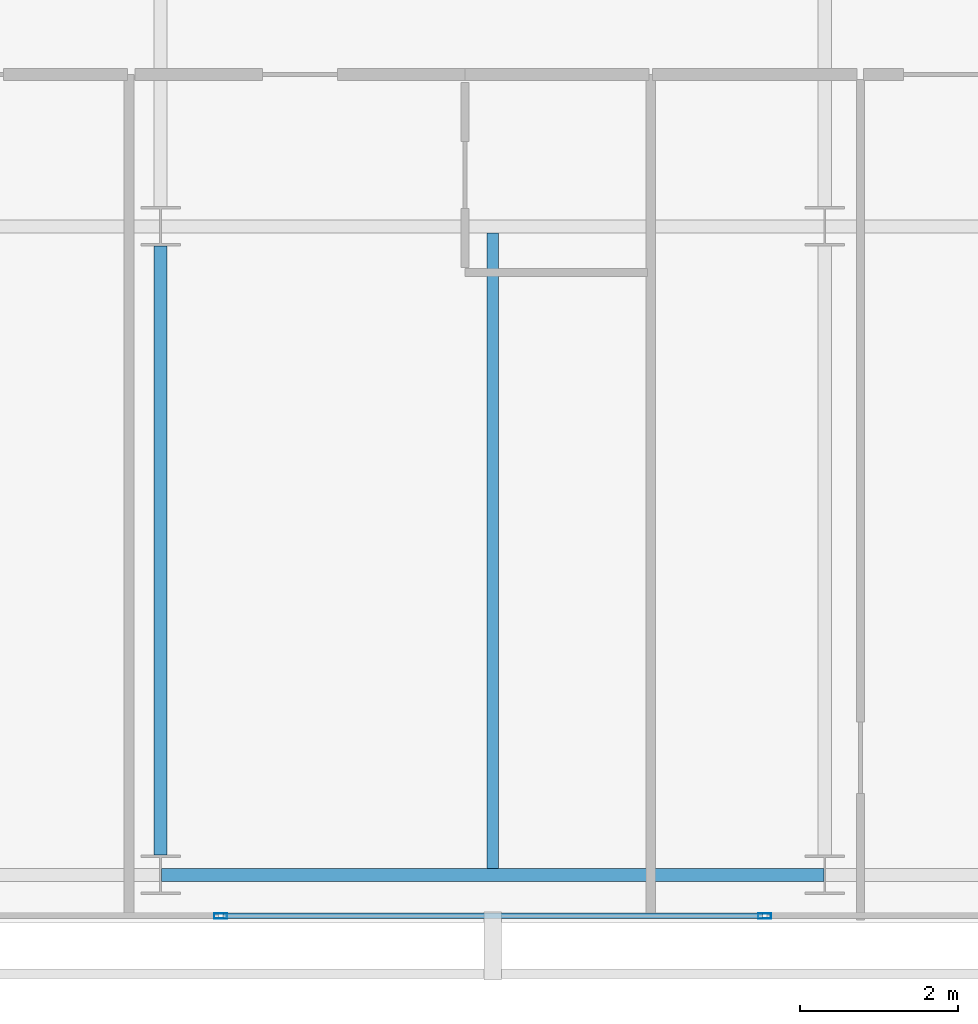
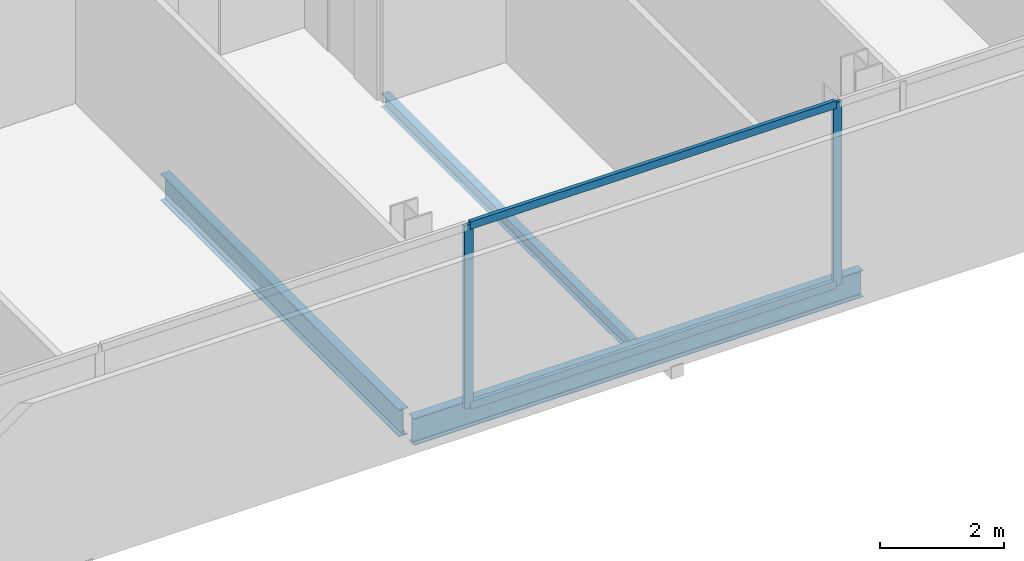
# One storey, part 6 of 26: 4 members, 3 beams, 1 element without a shape of its own.
"""IFC4 building model written with IfcOpenShell, lengths in metres."""

from ifc_helpers import new_model, si_unit, direction, frame, origin, origin_2d, place, context, subcontext, project, spatial, hollow_rectangle, i_section, extrude, material, layer, layer_set, material_profile, profile_set, type_object, element, aggregate, save


model = new_model("IFC4")

# Units and contexts
model_context = context("Model", 3, precision=1e-05, world=origin(), true_north=direction((0.0, 1.0)))
body_context = subcontext(model_context, "Body", "Model", "MODEL_VIEW")
ifc_project = project(units=[si_unit("LENGTHUNIT", "METRE"), si_unit("AREAUNIT", "SQUARE_METRE"), si_unit("VOLUMEUNIT", "CUBIC_METRE"), si_unit("PLANEANGLEUNIT", "RADIAN"), si_unit("MASSUNIT", "GRAM", prefix="KILO")], contexts=[model_context])

# Site, building, storey
site_placement = place(None, origin())
site = spatial("IfcSite", under=ifc_project, at=site_placement, CompositionType="ELEMENT")
building_placement = place(site_placement, origin())
building = spatial("IfcBuilding", under=site, at=building_placement, Name="Maruvema Waterfront Hotel and Observation Tower", CompositionType="ELEMENT")
storey_placement = place(building_placement, frame((0.0, 0.0, 293.300048828125)))
storey = spatial("IfcBuildingStorey", under=building, at=storey_placement, Name="L72", CompositionType="ELEMENT", Elevation=293.300048828125)

# Curtain wall, members
ifc_material_1 = material(Name="Anodised bronze aluminium and solar-control low-E IGU", Category="aluminium")
ifc_layer = layer(ifc_material_1, 0.159912109375, Name="Zone 3 Champagne Inner Thermal Curtain Wall System CW-04")
ifc_layer_set = layer_set([ifc_layer], Name="Anodised bronze aluminium and solar-control low-E IGU")
curtain_wall_type = type_object("IfcCurtainWallType", Name="Zone 3 Champagne Inner Thermal Curtain Wall System CW-04", PredefinedType="USERDEFINED", material=ifc_layer_set)
curtain_wall_placement = place(storey_placement, origin())
curtain_wall = element("IfcCurtainWall", 1, at=curtain_wall_placement, inside=storey, type_object=curtain_wall_type, Name="L72 Curtain Wall CW-L72-S", ObjectType="UNITISED CURTAIN WALL", PredefinedType="USERDEFINED")
ifc_material_2 = material(Name="Anodised architectural bronze aluminium", Category="aluminium")
ifc_material_profile_1 = material_profile(ifc_material_2, hollow_rectangle(XDim=0.070068359375, YDim=0.14990234375, WallThickness=0.00390625, at=origin_2d()), Name="ALU-T70x150")
ifc_profile_set_1 = profile_set([ifc_material_profile_1], Name="Anodised architectural bronze aluminium")
member_type_1 = type_object("IfcMemberType", Name="Curtain Wall Horizontal Transom ALU-T70x150", PredefinedType="USERDEFINED", material=ifc_profile_set_1)
member_1_placement = place(storey_placement, frame((34.389892578125, 9.280029296875, 0.030029296875), z_axis=(1.0, 0.0, 0.0), x_axis=(0.0, 1.0, 0.0)))
member_1 = element("IfcMember", 2, at=member_1_placement, type_object=member_type_1, Name="CW-04 transom 3.1", ObjectType="TRANSOM", PredefinedType="USERDEFINED", context=body_context, shape_type="SweptSolid", body=[
    extrude(hollow_rectangle(XDim=0.070068359375, YDim=0.14990234375, WallThickness=0.00390625, at=origin_2d()), origin(), (0.0, 0.0, 1.0), 6.820068359375),
])
member_2_placement = place(storey_placement, frame((34.389892578125, 9.280029296875, 3.579833984375), z_axis=(1.0, 0.0, 0.0), x_axis=(0.0, 1.0, 0.0)))
member_2 = element("IfcMember", 3, at=member_2_placement, type_object=member_type_1, Name="CW-04 transom 3.2", ObjectType="TRANSOM", PredefinedType="USERDEFINED", context=body_context, shape_type="SweptSolid", body=[
    extrude(hollow_rectangle(XDim=0.070068359375, YDim=0.14990234375, WallThickness=0.00390625, at=origin_2d()), origin(), (0.0, 0.0, 1.0), 6.820068359375),
])
ifc_material_3 = material(Name="Anodised architectural bronze aluminium", Category="aluminium")
ifc_material_profile_2 = material_profile(ifc_material_3, hollow_rectangle(XDim=0.06494140625, YDim=0.1650390625, WallThickness=0.00390625, at=origin_2d()), Name="ALU-M65x165")
ifc_profile_set_2 = profile_set([ifc_material_profile_2], Name="Anodised architectural bronze aluminium")
member_type_2 = type_object("IfcMemberType", Name="Curtain Wall Primary Mullion ALU-M65x165", PredefinedType="MULLION", material=ifc_profile_set_2)
member_3_placement = place(storey_placement, frame((34.360107421875, 9.280029296875, 0.0), z_axis=(0.0, 0.0, 1.0), x_axis=(0.0, 1.0, 0.0)))
member_3 = element("IfcMember", 4, at=member_3_placement, type_object=member_type_2, Name="CW-04 mullion 3", PredefinedType="MULLION", context=body_context, shape_type="SweptSolid", body=[
    extrude(hollow_rectangle(XDim=0.06494140625, YDim=0.1650390625, WallThickness=0.00390625, at=origin_2d()), origin(), (0.0, 0.0, 1.0), 3.60986328125),
])
member_4_placement = place(storey_placement, frame((41.239990234375, 9.280029296875, 0.0), z_axis=(0.0, 0.0, 1.0), x_axis=(0.0, 1.0, 0.0)))
member_4 = element("IfcMember", 5, at=member_4_placement, type_object=member_type_2, Name="CW-04 mullion 4", PredefinedType="MULLION", context=body_context, shape_type="SweptSolid", body=[
    extrude(hollow_rectangle(XDim=0.06494140625, YDim=0.1650390625, WallThickness=0.00390625, at=origin_2d()), origin(), (0.0, 0.0, 1.0), 3.60986328125),
])
aggregate(curtain_wall, [member_3, member_4, member_1, member_2])

# Beams
ifc_material_4 = material(Name="Steel ASTM A572 Grade 50", Category="steel")
ifc_material_profile_3 = material_profile(ifc_material_4, i_section(OverallWidth=0.166015625, OverallDepth=0.529052734375, WebThickness=0.009765625, FlangeThickness=0.013671875, FilletRadius=0.014892578125, at=origin_2d()), Name="W530x74.0")
ifc_profile_set_3 = profile_set([ifc_material_profile_3], Name="Steel ASTM A572 Grade 50")
beam_type_1 = type_object("IfcBeamType", Name="Primary Floor Girder W530x74.0", PredefinedType="BEAM", material=ifc_profile_set_3)
beam_1_placement = place(storey_placement, frame((33.611083984375, 9.800048828125, -0.504638671875), z_axis=(1.0, 0.0, 0.0), x_axis=(0.0, 1.0, 0.0)))
element("IfcBeam", 6, at=beam_1_placement, inside=storey, type_object=beam_type_1, Name="L72 Floor Girder EW-02", PredefinedType="BEAM", context=body_context, shape_type="SweptSolid", body=[
    extrude(i_section(OverallWidth=0.166015625, OverallDepth=0.529052734375, WebThickness=0.009765625, FlangeThickness=0.013671875, FilletRadius=0.014892578125, at=origin_2d()), origin(), (0.0, 0.0, 1.0), 8.3779296875),
])
beam_2_placement = place(storey_placement, frame((33.60009765625, 10.050048828125, -0.504638671875), z_axis=(0.0, 1.0, 0.0), x_axis=(-1.0, 0.0, 0.0)))
element("IfcBeam", 7, at=beam_2_placement, inside=storey, type_object=beam_type_1, Name="L72 Floor Girder NS-08", PredefinedType="BEAM", context=body_context, shape_type="SweptSolid", body=[
    extrude(i_section(OverallWidth=0.166015625, OverallDepth=0.529052734375, WebThickness=0.009765625, FlangeThickness=0.013671875, FilletRadius=0.014892578125, at=origin_2d()), origin(), (0.0, 0.0, 1.0), 7.699951171875),
])
ifc_material_5 = material(Name="Steel ASTM A572 Grade 50", Category="steel")
ifc_material_profile_4 = material_profile(ifc_material_5, i_section(OverallWidth=0.14599609375, OverallDepth=0.258056640625, WebThickness=0.006103515625, FlangeThickness=0.009033203125, FilletRadius=0.012939453125, at=origin_2d()), Name="W250x32.7")
ifc_profile_set_4 = profile_set([ifc_material_profile_4], Name="Steel ASTM A572 Grade 50")
beam_type_2 = type_object("IfcBeamType", Name="Secondary Floor Joist W250x32.7", PredefinedType="JOIST", material=ifc_profile_set_4)
beam_3_placement = place(storey_placement, frame((37.800048828125, 9.883056640625, -0.369140625), z_axis=(0.0, 1.0, 0.0), x_axis=(-1.0, 0.0, 0.0)))
element("IfcBeam", 8, at=beam_3_placement, inside=storey, type_object=beam_type_2, Name="L72 Secondary Floor Joist JS-05", PredefinedType="JOIST", context=body_context, shape_type="SweptSolid", body=[
    extrude(i_section(OverallWidth=0.14599609375, OverallDepth=0.258056640625, WebThickness=0.006103515625, FlangeThickness=0.009033203125, FilletRadius=0.012939453125, at=origin_2d()), origin(), (0.0, 0.0, 1.0), 8.033935546875),
])

save(model, "model.ifc")
